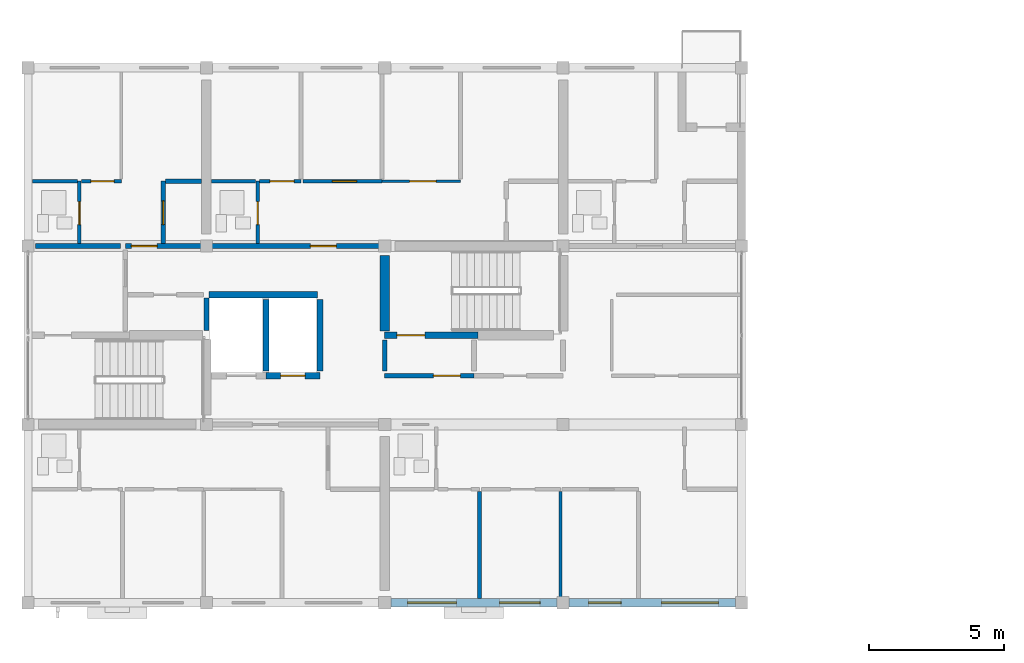
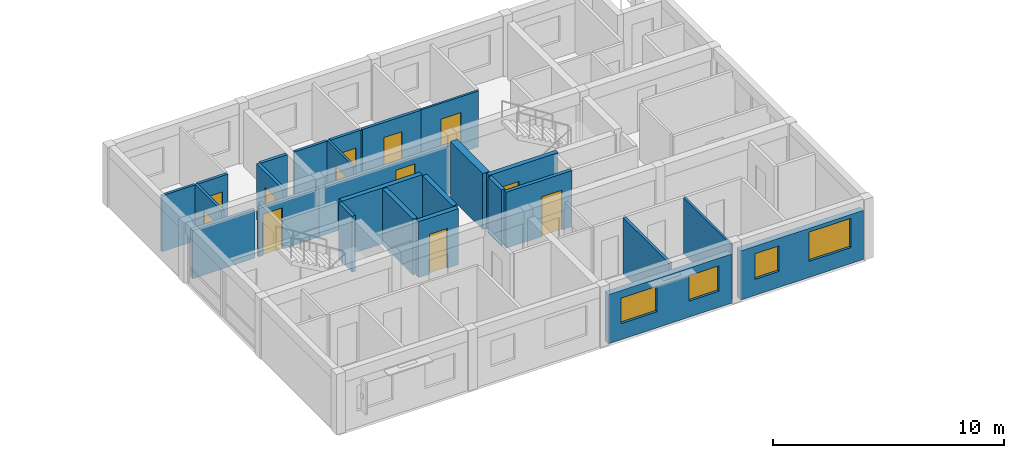
# One storey, part 27 of 52: 26 walls, 12 doors, 4 windows, 16 openings.
"""IFC4 building model written with IfcOpenShell, lengths in metres."""

from ifc_helpers import new_model, si_unit, direction, frame, frame_2d, origin, place, context, subcontext, project, spatial, rectangle, extrude, material, layer, layer_set, type_object, element, fill, save


model = new_model("IFC4")

# Units and contexts
model_context = context("Model", 3, precision=1e-05, world=origin(), true_north=direction((0.0, 1.0)))
body_context = subcontext(model_context, "Body", "Model", "MODEL_VIEW")
ifc_project = project(units=[si_unit("LENGTHUNIT", "METRE"), si_unit("AREAUNIT", "SQUARE_METRE"), si_unit("VOLUMEUNIT", "CUBIC_METRE"), si_unit("PLANEANGLEUNIT", "RADIAN"), si_unit("MASSUNIT", "GRAM", prefix="KILO")], contexts=[model_context])

# Site, building, storey
site_placement = place(None, origin())
site = spatial("IfcSite", under=ifc_project, at=site_placement, CompositionType="ELEMENT")
building_placement = place(site_placement, origin())
building = spatial("IfcBuilding", under=site, at=building_placement, Name="Kernevlak Ridge Housing Community", CompositionType="ELEMENT")
storey_placement = place(building_placement, frame((0.0, 0.0, 11.60009765625)))
storey = spatial("IfcBuildingStorey", under=building, at=storey_placement, Name="L03", CompositionType="ELEMENT", Elevation=11.60009765625)

# Wall, openings, windows
ifc_material_1 = material(Name="Concrete block masonry M10", Category="masonry")
ifc_layer_1 = layer(ifc_material_1, 0.300048828125, Name="Concrete block masonry M10")
ifc_layer_set_1 = layer_set([ifc_layer_1], Name="Concrete block masonry M10")
wall_type_1 = type_object("IfcWallType", Name="EW-01", PredefinedType="STANDARD", material=ifc_layer_set_1)
wall_1_placement = place(storey_placement, frame((29.02490234375, 15.60009765625, 0.0), z_axis=(0.0, 0.0, 1.0), x_axis=(1.0, 0.0, 0.0)))
wall_1 = element("IfcWall", 1, at=wall_1_placement, inside=storey, type_object=wall_type_1, Name="Exterior wall EW-01 L03 755", PredefinedType="STANDARD", context=body_context, shape_type="SweptSolid", body=[
    extrude(rectangle(XDim=6.150146484375, YDim=0.300048828125, at=frame_2d((3.0751953125, 0.0))), origin(), (0.0, 0.0, 1.0), 2.599853515625),
])
opening_1_placement = place(wall_1_placement, frame((0.625, 0.0, 0.85009765625)))
opening_1 = element("IfcOpeningElement", 2, at=opening_1_placement, cuts=wall_1, Name="Opening WT-03", PredefinedType="OPENING", context=body_context, shape_type="SweptSolid", body=[
    extrude(rectangle(XDim=1.800048828125, YDim=1.35009765625, at=frame_2d((0.89990234375, 0.675048828125))), frame((0.0, 0.159912109375, 0.0), z_axis=(0.0, -1.0, 0.0), x_axis=(1.0, 0.0, 0.0)), (0.0, 0.0, 1.0), 0.320068359375),
])
opening_2_placement = place(wall_1_placement, frame((4.02490234375, 0.0, 0.85009765625)))
opening_2 = element("IfcOpeningElement", 3, at=opening_2_placement, cuts=wall_1, Name="Opening WT-02", PredefinedType="OPENING", context=body_context, shape_type="SweptSolid", body=[
    extrude(rectangle(XDim=1.5, YDim=1.35009765625, at=frame_2d((0.75, 0.675048828125))), frame((0.0, 0.159912109375, 0.0), z_axis=(0.0, -1.0, 0.0), x_axis=(1.0, 0.0, 0.0)), (0.0, 0.0, 1.0), 0.320068359375),
])
ifc_material_2 = material(Name="Aluminium EN AW-6060 anodised and laminated glass", Category="aluminium")
window_type_1 = type_object("IfcWindowType", Name="WT-02", PartitioningType="SINGLE_PANEL", PredefinedType="WINDOW", material=ifc_material_2)
window_1_placement = place(opening_2_placement, origin())
window_1 = element("IfcWindow", 4, at=window_1_placement, inside=storey, type_object=window_type_1, Name="Window WT-02 L03 625", OverallHeight=1.35009765625, OverallWidth=1.5, PartitioningType="SINGLE_PANEL", PredefinedType="WINDOW", context=body_context, shape_type="SweptSolid", body=[
    extrude(rectangle(XDim=1.5, YDim=1.35009765625, at=frame_2d((0.75, 0.675048828125))), frame((0.0, 0.030029296875, 0.0), z_axis=(0.0, -1.0, 0.0), x_axis=(1.0, 0.0, 0.0)), (0.0, 0.0, 1.0), 0.06005859375),
])
fill(opening_2, window_1)
window_type_2 = type_object("IfcWindowType", Name="WT-03", PartitioningType="SINGLE_PANEL", PredefinedType="WINDOW", material=ifc_material_2)
window_2_placement = place(opening_1_placement, origin())
window_2 = element("IfcWindow", 5, at=window_2_placement, inside=storey, type_object=window_type_2, Name="Window WT-03 L03 624", OverallHeight=1.35009765625, OverallWidth=1.800048828125, PartitioningType="SINGLE_PANEL", PredefinedType="WINDOW", context=body_context, shape_type="SweptSolid", body=[
    extrude(rectangle(XDim=1.800048828125, YDim=1.35009765625, at=frame_2d((0.89990234375, 0.675048828125))), frame((0.0, 0.030029296875, 0.0), z_axis=(0.0, -1.0, 0.0), x_axis=(1.0, 0.0, 0.0)), (0.0, 0.0, 1.0), 0.06005859375),
])
fill(opening_1, window_2)

wall_2_placement = place(storey_placement, frame((35.625, 15.60009765625, 0.0), z_axis=(0.0, 0.0, 1.0), x_axis=(1.0, 0.0, 0.0)))
wall_2 = element("IfcWall", 6, at=wall_2_placement, inside=storey, type_object=wall_type_1, Name="Exterior wall EW-01 L03 756", PredefinedType="STANDARD", context=body_context, shape_type="SweptSolid", body=[
    extrude(rectangle(XDim=6.14990234375, YDim=0.300048828125, at=frame_2d((3.074951171875, 0.0))), origin(), (0.0, 0.0, 1.0), 2.599853515625),
])
opening_3_placement = place(wall_2_placement, frame((0.72509765625, 0.0, 0.85009765625)))
opening_3 = element("IfcOpeningElement", 7, at=opening_3_placement, cuts=wall_2, Name="Opening WT-01", PredefinedType="OPENING", context=body_context, shape_type="SweptSolid", body=[
    extrude(rectangle(XDim=1.199951171875, YDim=1.35009765625, at=frame_2d((0.60009765625, 0.675048828125))), frame((0.0, 0.159912109375, 0.0), z_axis=(0.0, -1.0, 0.0), x_axis=(1.0, 0.0, 0.0)), (0.0, 0.0, 1.0), 0.320068359375),
])
opening_4_placement = place(wall_2_placement, frame((3.425048828125, 0.0, 0.85009765625)))
opening_4 = element("IfcOpeningElement", 8, at=opening_4_placement, cuts=wall_2, Name="Opening WT-05", PredefinedType="OPENING", context=body_context, shape_type="SweptSolid", body=[
    extrude(rectangle(XDim=2.10009765625, YDim=1.550048828125, at=frame_2d((1.050048828125, 0.77490234375))), frame((0.0, 0.159912109375, 0.0), z_axis=(0.0, -1.0, 0.0), x_axis=(1.0, 0.0, 0.0)), (0.0, 0.0, 1.0), 0.320068359375),
])
window_type_3 = type_object("IfcWindowType", Name="WT-01", PartitioningType="SINGLE_PANEL", PredefinedType="WINDOW", material=ifc_material_2)
window_3_placement = place(opening_3_placement, origin())
window_3 = element("IfcWindow", 9, at=window_3_placement, inside=storey, type_object=window_type_3, Name="Window WT-01 L03 626", OverallHeight=1.35009765625, OverallWidth=1.199951171875, PartitioningType="SINGLE_PANEL", PredefinedType="WINDOW", context=body_context, shape_type="SweptSolid", body=[
    extrude(rectangle(XDim=1.199951171875, YDim=1.35009765625, at=frame_2d((0.60009765625, 0.675048828125))), frame((0.0, 0.030029296875, 0.0), z_axis=(0.0, -1.0, 0.0), x_axis=(1.0, 0.0, 0.0)), (0.0, 0.0, 1.0), 0.06005859375),
])
fill(opening_3, window_3)
window_type_4 = type_object("IfcWindowType", Name="WT-05", PartitioningType="SINGLE_PANEL", PredefinedType="WINDOW", material=ifc_material_2)
window_4_placement = place(opening_4_placement, origin())
window_4 = element("IfcWindow", 10, at=window_4_placement, inside=storey, type_object=window_type_4, Name="Window WT-05 L03 627", OverallHeight=1.550048828125, OverallWidth=2.10009765625, PartitioningType="SINGLE_PANEL", PredefinedType="WINDOW", context=body_context, shape_type="SweptSolid", body=[
    extrude(rectangle(XDim=2.10009765625, YDim=1.550048828125, at=frame_2d((1.050048828125, 0.77490234375))), frame((0.0, 0.030029296875, 0.0), z_axis=(0.0, -1.0, 0.0), x_axis=(1.0, 0.0, 0.0)), (0.0, 0.0, 1.0), 0.06005859375),
])
fill(opening_4, window_4)

# Wall, opening, door
ifc_material_3 = material(Name="Concrete C35/45", Category="concrete")
ifc_layer_2 = layer(ifc_material_3, 0.22509765625, Name="Concrete C35/45")
ifc_layer_set_2 = layer_set([ifc_layer_2], Name="Concrete C35/45")
wall_type_2 = type_object("IfcWallType", Name="PW-01", PredefinedType="STANDARD", material=ifc_layer_set_2)
wall_3_placement = place(storey_placement, frame((24.39990234375, 24.0, 0.0), z_axis=(0.0, 0.0, 1.0), x_axis=(1.0, 0.0, 0.0)))
wall_3 = element("IfcWall", 11, at=wall_3_placement, inside=storey, type_object=wall_type_2, Name="Interior wall PW-01 WAL-INT-L03-3113", PredefinedType="STANDARD", context=body_context, shape_type="SweptSolid", body=[
    extrude(rectangle(XDim=2.0, YDim=0.22509765625, at=frame_2d((1.0, 0.0))), origin(), (0.0, 0.0, 1.0), 2.9599609375),
])
opening_5_placement = place(wall_3_placement, frame((0.550048828125, 0.0, 0.0)))
opening_5 = element("IfcOpeningElement", 12, at=opening_5_placement, cuts=wall_3, Name="Opening LD85", PredefinedType="OPENING", context=body_context, shape_type="SweptSolid", body=[
    extrude(rectangle(XDim=0.89990234375, YDim=2.10009765625, at=frame_2d((0.449951171875, 1.050048828125))), frame((0.0, 0.12255859375, 0.0), z_axis=(0.0, -1.0, 0.0), x_axis=(1.0, 0.0, 0.0)), (0.0, 0.0, 1.0), 0.2451171875),
])
ifc_material_4 = material(Name="Stainless steel EN 1.4401", Category="steel")
door_type_1 = type_object("IfcDoorType", Name="DT-LD2", OperationType="DOUBLE_DOOR_SLIDING", PredefinedType="DOOR", material=ifc_material_4)
door_1_placement = place(opening_5_placement, origin())
door_1 = element("IfcDoor", 13, at=door_1_placement, inside=storey, type_object=door_type_1, Name="Lift LF-D2 landing door LD85", OperationType="DOUBLE_DOOR_SLIDING", OverallHeight=2.10009765625, OverallWidth=0.89990234375, PredefinedType="DOOR", context=body_context, shape_type="SweptSolid", body=[
    extrude(rectangle(XDim=0.89990234375, YDim=2.10009765625, at=frame_2d((0.449951171875, 1.050048828125))), frame((0.0, 0.02490234375, 0.0), z_axis=(0.0, -1.0, 0.0), x_axis=(1.0, 0.0, 0.0)), (0.0, 0.0, 1.0), 0.050048828125),
])
fill(opening_5, door_1)

# Walls
wall_4_placement = place(storey_placement, frame((22.297607421875, 27.0, 0.0), z_axis=(0.0, 0.0, 1.0), x_axis=(1.0, 0.0, 0.0)))
element("IfcWall", 14, at=wall_4_placement, inside=storey, type_object=wall_type_2, Name="Interior wall PW-01 WAL-INT-L03-3114", PredefinedType="STANDARD", context=body_context, shape_type="SweptSolid", body=[
    extrude(rectangle(XDim=4.0224609375, YDim=0.22509765625, at=frame_2d((2.01123046875, 0.0))), origin(), (0.0, 0.0, 1.0), 2.9599609375),
])
for number, where, z_axis, x_axis, name in (
    (15, (24.39990234375, 24.179931640625, 0.0), (0.0, 0.0, 1.0), (0.0, 1.0, 0.0), "Interior wall PW-01 WAL-INT-L03-3116"),
    (16, (26.39990234375, 24.179931640625, 0.0), (0.0, 0.0, 1.0), (0.0, 1.0, 0.0), "Interior wall PW-01 WAL-INT-L03-3117"),
):
    element("IfcWall", number, at=place(storey_placement, frame(where, z_axis=z_axis, x_axis=x_axis)), inside=storey, type_object=wall_type_2, Name=name, PredefinedType="STANDARD", context=body_context, shape_type="SweptSolid", body=[
        extrude(rectangle(XDim=2.64013671875, YDim=0.22509765625, at=frame_2d((1.320068359375, 0.0))), origin(), (0.0, 0.0, 1.0), 2.9599609375),
    ])

# Wall, opening, door
wall_5_placement = place(storey_placement, frame((28.800048828125, 25.5, 0.0), z_axis=(0.0, 0.0, 1.0), x_axis=(1.0, 0.0, 0.0)))
wall_5 = element("IfcWall", 17, at=wall_5_placement, inside=storey, type_object=wall_type_2, Name="Interior wall PW-01 WAL-INT-L03-3118", PredefinedType="STANDARD", context=body_context, shape_type="SweptSolid", body=[
    extrude(rectangle(XDim=3.449951171875, YDim=0.22509765625, at=frame_2d((1.72509765625, 0.0))), origin(), (0.0, 0.0, 1.0), 2.9599609375),
])
opening_6_placement = place(wall_5_placement, frame((0.449951171875, 0.0, 0.0)))
opening_6 = element("IfcOpeningElement", 18, at=opening_6_placement, cuts=wall_5, Name="Opening E580", PredefinedType="OPENING", context=body_context, shape_type="SweptSolid", body=[
    extrude(rectangle(XDim=1.0400390625, YDim=2.1201171875, at=frame_2d((0.52001953125, 1.06005859375))), frame((0.0, 0.12255859375, 0.0), z_axis=(0.0, -1.0, 0.0), x_axis=(1.0, 0.0, 0.0)), (0.0, 0.0, 1.0), 0.2451171875),
])
ifc_material_5 = material(Name="Fire-rated sheet steel leaf", Category="steel")
door_type_2 = type_object("IfcDoorType", Name="DT-16", OperationType="NOTDEFINED", PredefinedType="DOOR", material=ifc_material_5)
door_2_placement = place(opening_6_placement, origin())
door_2 = element("IfcDoor", 19, at=door_2_placement, inside=storey, type_object=door_type_2, Name="Block D Stair 2 fire door E580", OperationType="SINGLE_SWING_LEFT", OverallHeight=2.1201171875, OverallWidth=1.0400390625, PredefinedType="DOOR", context=body_context, shape_type="SweptSolid", body=[
    extrude(rectangle(XDim=1.0400390625, YDim=2.1201171875, at=frame_2d((0.52001953125, 1.06005859375))), frame((0.0, 0.02490234375, 0.0), z_axis=(0.0, -1.0, 0.0), x_axis=(1.0, 0.0, 0.0)), (0.0, 0.0, 1.0), 0.050048828125),
])
fill(opening_6, door_2)

# Wall
ifc_layer_3 = layer(ifc_material_1, 0.175048828125, Name="Concrete block masonry M10")
ifc_layer_set_3 = layer_set([ifc_layer_3], Name="Concrete block masonry M10")
wall_type_3 = type_object("IfcWallType", Name="PW-02", PredefinedType="PARTITIONING", material=ifc_layer_set_3)
wall_6_placement = place(storey_placement, frame((22.199951171875, 25.679931640625, 0.0), z_axis=(0.0, 0.0, 1.0), x_axis=(0.0, 1.0, 0.0)))
element("IfcWall", 20, at=wall_6_placement, inside=storey, type_object=wall_type_3, Name="Interior wall PW-02 WAL-INT-L03-3111", PredefinedType="PARTITIONING", context=body_context, shape_type="SweptSolid", body=[
    extrude(rectangle(XDim=1.190185546875, YDim=0.175048828125, at=frame_2d((0.59521484375, 0.0))), origin(), (0.0, 0.0, 1.0), 2.9599609375),
])

# Wall, opening, door
wall_7_placement = place(storey_placement, frame((28.800048828125, 24.0, 0.0), z_axis=(0.0, 0.0, 1.0), x_axis=(1.0, 0.0, 0.0)))
wall_7 = element("IfcWall", 21, at=wall_7_placement, inside=storey, type_object=wall_type_3, Name="Interior wall PW-02 WAL-INT-L03-3119", PredefinedType="PARTITIONING", context=body_context, shape_type="SweptSolid", body=[
    extrude(rectangle(XDim=3.300048828125, YDim=0.175048828125, at=frame_2d((1.64990234375, 0.0))), origin(), (0.0, 0.0, 1.0), 2.9599609375),
])
opening_7_placement = place(wall_7_placement, frame((1.800048828125, 0.0, 0.0)))
opening_7 = element("IfcOpeningElement", 22, at=opening_7_placement, cuts=wall_7, Name="Opening E581", PredefinedType="OPENING", context=body_context, shape_type="SweptSolid", body=[
    extrude(rectangle(XDim=1.0, YDim=2.10009765625, at=frame_2d((0.5, 1.050048828125))), frame((0.0, 0.097412109375, 0.0), z_axis=(0.0, -1.0, 0.0), x_axis=(1.0, 0.0, 0.0)), (0.0, 0.0, 1.0), 0.195068359375),
])
door_type_3 = type_object("IfcDoorType", Name="DT-05", OperationType="NOTDEFINED", PredefinedType="DOOR", material=ifc_material_5)
door_3_placement = place(opening_7_placement, origin())
door_3 = element("IfcDoor", 23, at=door_3_placement, inside=storey, type_object=door_type_3, Name="Block D Firefighting lobby 2 door E581", OperationType="SINGLE_SWING_RIGHT", OverallHeight=2.10009765625, OverallWidth=1.0, PredefinedType="DOOR", context=body_context, shape_type="SweptSolid", body=[
    extrude(rectangle(XDim=1.0, YDim=2.10009765625, at=frame_2d((0.5, 1.050048828125))), frame((0.0, 0.02490234375, 0.0), z_axis=(0.0, -1.0, 0.0), x_axis=(1.0, 0.0, 0.0)), (0.0, 0.0, 1.0), 0.050048828125),
])
fill(opening_7, door_3)

# Walls
wall_8_placement = place(storey_placement, frame((28.800048828125, 24.179931640625, 0.0), z_axis=(0.0, 0.0, 1.0), x_axis=(0.0, 1.0, 0.0)))
element("IfcWall", 24, at=wall_8_placement, inside=storey, type_object=wall_type_3, Name="Interior wall PW-02 WAL-INT-L03-3121", PredefinedType="PARTITIONING", context=body_context, shape_type="SweptSolid", body=[
    extrude(rectangle(XDim=1.14013671875, YDim=0.175048828125, at=frame_2d((0.570068359375, 0.0))), origin(), (0.0, 0.0, 1.0), 2.9599609375),
])
wall_9_placement = place(storey_placement, frame((15.8798828125, 28.800048828125, 0.0), z_axis=(0.0, 0.0, 1.0), x_axis=(1.0, 0.0, 0.0)))
element("IfcWall", 25, at=wall_9_placement, inside=storey, type_object=wall_type_3, Name="Interior wall PW-02 WAL-INT-L03-3149", PredefinedType="PARTITIONING", context=body_context, shape_type="SweptSolid", body=[
    extrude(rectangle(XDim=3.14013671875, YDim=0.175048828125, at=frame_2d((1.570068359375, 0.0))), origin(), (0.0, 0.0, 1.0), 2.5498046875),
])

# Wall, opening, door
wall_10_placement = place(storey_placement, frame((19.199951171875, 28.800048828125, 0.0), z_axis=(0.0, 0.0, 1.0), x_axis=(1.0, 0.0, 0.0)))
wall_10 = element("IfcWall", 26, at=wall_10_placement, inside=storey, type_object=wall_type_3, Name="Interior wall PW-02 WAL-INT-L03-3150", PredefinedType="PARTITIONING", context=body_context, shape_type="SweptSolid", body=[
    extrude(rectangle(XDim=3.0, YDim=0.175048828125, at=frame_2d((1.5, 0.0))), origin(), (0.0, 0.0, 1.0), 2.5498046875),
])
opening_8_placement = place(wall_10_placement, frame((0.219970703125, 0.0, 0.0)))
opening_8 = element("IfcOpeningElement", 27, at=opening_8_placement, cuts=wall_10, Name="Opening E596", PredefinedType="OPENING", context=body_context, shape_type="SweptSolid", body=[
    extrude(rectangle(XDim=0.9599609375, YDim=2.179931640625, at=frame_2d((0.47998046875, 1.08984375))), frame((0.0, 0.097412109375, 0.0), z_axis=(0.0, -1.0, 0.0), x_axis=(1.0, 0.0, 0.0)), (0.0, 0.0, 1.0), 0.195068359375),
])
ifc_material_6 = material(Name="Hardwood timber solid-core fire leaf", Category="wood")
door_type_4 = type_object("IfcDoorType", Name="DT-29", OperationType="NOTDEFINED", PredefinedType="DOOR", material=ifc_material_6)
door_4_placement = place(opening_8_placement, origin())
door_4 = element("IfcDoor", 28, at=door_4_placement, inside=storey, type_object=door_type_4, Name="Flat D0321 entrance fire door E596", OperationType="SINGLE_SWING_LEFT", OverallHeight=2.179931640625, OverallWidth=0.9599609375, PredefinedType="DOOR", context=body_context, shape_type="SweptSolid", body=[
    extrude(rectangle(XDim=0.9599609375, YDim=2.179931640625, at=frame_2d((0.47998046875, 1.08984375))), frame((0.0, 0.02490234375, 0.0), z_axis=(0.0, -1.0, 0.0), x_axis=(1.0, 0.0, 0.0)), (0.0, 0.0, 1.0), 0.050048828125),
])
fill(opening_8, door_4)

wall_11_placement = place(storey_placement, frame((22.199951171875, 28.800048828125, 0.0), z_axis=(0.0, 0.0, 1.0), x_axis=(1.0, 0.0, 0.0)))
wall_11 = element("IfcWall", 29, at=wall_11_placement, inside=storey, type_object=wall_type_3, Name="Interior wall PW-02 WAL-INT-L03-3157", PredefinedType="PARTITIONING", context=body_context, shape_type="SweptSolid", body=[
    extrude(rectangle(XDim=6.60009765625, YDim=0.175048828125, at=frame_2d((3.300048828125, 0.0))), origin(), (0.0, 0.0, 1.0), 2.5498046875),
])
opening_9_placement = place(wall_11_placement, frame((3.85009765625, 0.0, 0.0)))
opening_9 = element("IfcOpeningElement", 30, at=opening_9_placement, cuts=wall_11, Name="Opening E600", PredefinedType="OPENING", context=body_context, shape_type="SweptSolid", body=[
    extrude(rectangle(XDim=0.9599609375, YDim=2.179931640625, at=frame_2d((0.47998046875, 1.08984375))), frame((0.0, 0.097412109375, 0.0), z_axis=(0.0, -1.0, 0.0), x_axis=(1.0, 0.0, 0.0)), (0.0, 0.0, 1.0), 0.195068359375),
])
door_5_placement = place(opening_9_placement, origin())
door_5 = element("IfcDoor", 31, at=door_5_placement, inside=storey, type_object=door_type_4, Name="Flat D0322 entrance fire door E600", OperationType="SINGLE_SWING_LEFT", OverallHeight=2.179931640625, OverallWidth=0.9599609375, PredefinedType="DOOR", context=body_context, shape_type="SweptSolid", body=[
    extrude(rectangle(XDim=0.9599609375, YDim=2.179931640625, at=frame_2d((0.47998046875, 1.08984375))), frame((0.0, 0.02490234375, 0.0), z_axis=(0.0, -1.0, 0.0), x_axis=(1.0, 0.0, 0.0)), (0.0, 0.0, 1.0), 0.050048828125),
])
fill(opening_9, door_5)

# Wall
ifc_layer_4 = layer(ifc_material_1, 0.14501953125, Name="Concrete block masonry M10")
ifc_layer_set_4 = layer_set([ifc_layer_4], Name="Concrete block masonry M10")
wall_type_4 = type_object("IfcWallType", Name="PW-03", PredefinedType="PARTITIONING", material=ifc_layer_set_4)
wall_12_placement = place(storey_placement, frame((32.300048828125, 19.717529296875, 0.0), z_axis=(0.0, 0.0, 1.0), x_axis=(0.0, -1.0, 0.0)))
element("IfcWall", 32, at=wall_12_placement, inside=storey, type_object=wall_type_4, Name="Interior wall PW-03 WAL-INT-L03-3144", PredefinedType="PARTITIONING", context=body_context, shape_type="SweptSolid", body=[
    extrude(rectangle(XDim=3.95751953125, YDim=0.14501953125, at=frame_2d((1.978759765625, 0.0))), origin(), (0.0, 0.0, 1.0), 2.9599609375),
])

# Wall, opening, door
wall_13_placement = place(storey_placement, frame((17.572509765625, 31.199951171875, 0.0), z_axis=(0.0, 0.0, 1.0), x_axis=(1.0, 0.0, 0.0)))
wall_13 = element("IfcWall", 33, at=wall_13_placement, inside=storey, type_object=wall_type_4, Name="Interior wall PW-03 WAL-INT-L03-3155", PredefinedType="PARTITIONING", context=body_context, shape_type="SweptSolid", body=[
    extrude(rectangle(XDim=1.4775390625, YDim=0.14501953125, at=frame_2d((0.73876953125, 0.0))), origin(), (0.0, 0.0, 1.0), 2.9599609375),
])
opening_10_placement = place(wall_13_placement, frame((0.35009765625, 0.0, 0.0)))
opening_10 = element("IfcOpeningElement", 34, at=opening_10_placement, cuts=wall_13, Name="Opening E599", PredefinedType="OPENING", context=body_context, shape_type="SweptSolid", body=[
    extrude(rectangle(XDim=0.860107421875, YDim=2.1201171875, at=frame_2d((0.43017578125, 1.06005859375))), frame((0.0, 0.08251953125, 0.0), z_axis=(0.0, -1.0, 0.0), x_axis=(1.0, 0.0, 0.0)), (0.0, 0.0, 1.0), 0.1650390625),
])
ifc_material_7 = material(Name="Hardwood timber leaf", Category="wood")
door_type_5 = type_object("IfcDoorType", Name="DT-28", OperationType="NOTDEFINED", PredefinedType="DOOR", material=ifc_material_7)
door_6_placement = place(opening_10_placement, origin())
door_6 = element("IfcDoor", 35, at=door_6_placement, inside=storey, type_object=door_type_5, Name="Flat D0321 bedroom door E599", OperationType="SINGLE_SWING_RIGHT", OverallHeight=2.1201171875, OverallWidth=0.860107421875, PredefinedType="DOOR", context=body_context, shape_type="SweptSolid", body=[
    extrude(rectangle(XDim=0.860107421875, YDim=2.1201171875, at=frame_2d((0.43017578125, 1.06005859375))), frame((0.0, 0.02490234375, 0.0), z_axis=(0.0, -1.0, 0.0), x_axis=(1.0, 0.0, 0.0)), (0.0, 0.0, 1.0), 0.050048828125),
])
fill(opening_10, door_6)

wall_14_placement = place(storey_placement, frame((24.172607421875, 31.199951171875, 0.0), z_axis=(0.0, 0.0, 1.0), x_axis=(1.0, 0.0, 0.0)))
wall_14 = element("IfcWall", 36, at=wall_14_placement, inside=storey, type_object=wall_type_4, Name="Interior wall PW-03 WAL-INT-L03-3162", PredefinedType="PARTITIONING", context=body_context, shape_type="SweptSolid", body=[
    extrude(rectangle(XDim=1.52734375, YDim=0.14501953125, at=frame_2d((0.763671875, 0.0))), origin(), (0.0, 0.0, 1.0), 2.9599609375),
])
opening_11_placement = place(wall_14_placement, frame((0.375, 0.0, 0.0)))
opening_11 = element("IfcOpeningElement", 37, at=opening_11_placement, cuts=wall_14, Name="Opening E603", PredefinedType="OPENING", context=body_context, shape_type="SweptSolid", body=[
    extrude(rectangle(XDim=0.89990234375, YDim=2.10009765625, at=frame_2d((0.449951171875, 1.050048828125))), frame((0.0, 0.08251953125, 0.0), z_axis=(0.0, -1.0, 0.0), x_axis=(1.0, 0.0, 0.0)), (0.0, 0.0, 1.0), 0.1650390625),
])
door_type_6 = type_object("IfcDoorType", Name="DT-21", OperationType="NOTDEFINED", PredefinedType="DOOR", material=ifc_material_7)
door_7_placement = place(opening_11_placement, origin())
door_7 = element("IfcDoor", 38, at=door_7_placement, inside=storey, type_object=door_type_6, Name="Flat D0322 bedroom door E603", OperationType="SINGLE_SWING_RIGHT", OverallHeight=2.10009765625, OverallWidth=0.89990234375, PredefinedType="DOOR", context=body_context, shape_type="SweptSolid", body=[
    extrude(rectangle(XDim=0.89990234375, YDim=2.10009765625, at=frame_2d((0.449951171875, 1.050048828125))), frame((0.0, 0.02490234375, 0.0), z_axis=(0.0, -1.0, 0.0), x_axis=(1.0, 0.0, 0.0)), (0.0, 0.0, 1.0), 0.050048828125),
])
fill(opening_11, door_7)

wall_15_placement = place(storey_placement, frame((25.782470703125, 31.199951171875, 0.0), z_axis=(0.0, 0.0, 1.0), x_axis=(1.0, 0.0, 0.0)))
wall_15 = element("IfcWall", 39, at=wall_15_placement, inside=storey, type_object=wall_type_4, Name="Interior wall PW-03 WAL-INT-L03-3164", PredefinedType="PARTITIONING", context=body_context, shape_type="SweptSolid", body=[
    extrude(rectangle(XDim=2.91748046875, YDim=0.14501953125, at=frame_2d((1.458740234375, 0.0))), origin(), (0.0, 0.0, 1.0), 2.9599609375),
])
opening_12_placement = place(wall_15_placement, frame((1.074951171875, 0.0, 0.0)))
opening_12 = element("IfcOpeningElement", 40, at=opening_12_placement, cuts=wall_15, Name="Opening E604", PredefinedType="OPENING", context=body_context, shape_type="SweptSolid", body=[
    extrude(rectangle(XDim=0.89990234375, YDim=2.159912109375, at=frame_2d((0.449951171875, 1.080078125))), frame((0.0, 0.08251953125, 0.0), z_axis=(0.0, -1.0, 0.0), x_axis=(1.0, 0.0, 0.0)), (0.0, 0.0, 1.0), 0.1650390625),
])
door_type_7 = type_object("IfcDoorType", Name="DT-22", OperationType="NOTDEFINED", PredefinedType="DOOR", material=ifc_material_7)
door_8_placement = place(opening_12_placement, origin())
door_8 = element("IfcDoor", 41, at=door_8_placement, inside=storey, type_object=door_type_7, Name="Flat D0322 bedroom door E604", OperationType="SINGLE_SWING_LEFT", OverallHeight=2.159912109375, OverallWidth=0.89990234375, PredefinedType="DOOR", context=body_context, shape_type="SweptSolid", body=[
    extrude(rectangle(XDim=0.89990234375, YDim=2.159912109375, at=frame_2d((0.449951171875, 1.080078125))), frame((0.0, 0.02490234375, 0.0), z_axis=(0.0, -1.0, 0.0), x_axis=(1.0, 0.0, 0.0)), (0.0, 0.0, 1.0), 0.050048828125),
])
fill(opening_12, door_8)

ifc_material_8 = material(Name="Gypsum plasterboard EN 520", Category="gypsum")
ifc_layer_5 = layer(ifc_material_8, 0.125, Name="Gypsum plasterboard EN 520")
ifc_layer_set_5 = layer_set([ifc_layer_5], Name="Gypsum plasterboard EN 520")
wall_type_5 = type_object("IfcWallType", Name="PW-04", PredefinedType="PARTITIONING", material=ifc_layer_set_5)
wall_16_placement = place(storey_placement, frame((17.5, 28.8974609375, 0.0), z_axis=(0.0, 0.0, 1.0), x_axis=(0.0, 1.0, 0.0)))
wall_16 = element("IfcWall", 42, at=wall_16_placement, inside=storey, type_object=wall_type_5, Name="Interior wall PW-04 WAL-INT-L03-3151", PredefinedType="PARTITIONING", context=body_context, shape_type="SweptSolid", body=[
    extrude(rectangle(XDim=2.302490234375, YDim=0.125, at=frame_2d((1.1513671875, 0.0))), origin(), (0.0, 0.0, 1.0), 2.9599609375),
])
opening_13_placement = place(wall_16_placement, frame((0.699951171875, 0.0, 0.0)))
opening_13 = element("IfcOpeningElement", 43, at=opening_13_placement, cuts=wall_16, Name="Opening E597", PredefinedType="OPENING", context=body_context, shape_type="SweptSolid", body=[
    extrude(rectangle(XDim=0.85009765625, YDim=2.0400390625, at=frame_2d((0.425048828125, 1.02001953125))), frame((0.0, 0.072509765625, 0.0), z_axis=(0.0, -1.0, 0.0), x_axis=(1.0, 0.0, 0.0)), (0.0, 0.0, 1.0), 0.14501953125),
])
ifc_material_9 = material(Name="Hardwood timber moisture-resistant leaf", Category="wood")
door_type_8 = type_object("IfcDoorType", Name="DT-04", OperationType="NOTDEFINED", PredefinedType="DOOR", material=ifc_material_9)
door_9_placement = place(opening_13_placement, origin())
door_9 = element("IfcDoor", 44, at=door_9_placement, inside=storey, type_object=door_type_8, Name="Flat D0321 bathroom door E597", OperationType="SINGLE_SWING_RIGHT", OverallHeight=2.0400390625, OverallWidth=0.85009765625, PredefinedType="DOOR", context=body_context, shape_type="SweptSolid", body=[
    extrude(rectangle(XDim=0.85009765625, YDim=2.0400390625, at=frame_2d((0.425048828125, 1.02001953125))), frame((0.0, 0.02490234375, 0.0), z_axis=(0.0, -1.0, 0.0), x_axis=(1.0, 0.0, 0.0)), (0.0, 0.0, 1.0), 0.050048828125),
])
fill(opening_13, door_9)

# Wall
wall_17_placement = place(storey_placement, frame((15.760009765625, 31.199951171875, 0.0), z_axis=(0.0, 0.0, 1.0), x_axis=(1.0, 0.0, 0.0)))
element("IfcWall", 45, at=wall_17_placement, inside=storey, type_object=wall_type_5, Name="Interior wall PW-04 WAL-INT-L03-3152", PredefinedType="PARTITIONING", context=body_context, shape_type="SweptSolid", body=[
    extrude(rectangle(XDim=1.659912109375, YDim=0.125, at=frame_2d((0.830078125, 0.0))), origin(), (0.0, 0.0, 1.0), 2.9599609375),
])

# Wall, opening, door
wall_18_placement = place(storey_placement, frame((24.10009765625, 28.8974609375, 0.0), z_axis=(0.0, 0.0, 1.0), x_axis=(0.0, 1.0, 0.0)))
wall_18 = element("IfcWall", 46, at=wall_18_placement, inside=storey, type_object=wall_type_5, Name="Interior wall PW-04 WAL-INT-L03-3158", PredefinedType="PARTITIONING", context=body_context, shape_type="SweptSolid", body=[
    extrude(rectangle(XDim=2.302490234375, YDim=0.125, at=frame_2d((1.1513671875, 0.0))), origin(), (0.0, 0.0, 1.0), 2.9599609375),
])
opening_14_placement = place(wall_18_placement, frame((0.699951171875, 0.0, 0.0)))
opening_14 = element("IfcOpeningElement", 47, at=opening_14_placement, cuts=wall_18, Name="Opening E601", PredefinedType="OPENING", context=body_context, shape_type="SweptSolid", body=[
    extrude(rectangle(XDim=0.85009765625, YDim=2.0400390625, at=frame_2d((0.425048828125, 1.02001953125))), frame((0.0, 0.072509765625, 0.0), z_axis=(0.0, -1.0, 0.0), x_axis=(1.0, 0.0, 0.0)), (0.0, 0.0, 1.0), 0.14501953125),
])
door_10_placement = place(opening_14_placement, origin())
door_10 = element("IfcDoor", 48, at=door_10_placement, inside=storey, type_object=door_type_8, Name="Flat D0322 bathroom door E601", OperationType="SINGLE_SWING_RIGHT", OverallHeight=2.0400390625, OverallWidth=0.85009765625, PredefinedType="DOOR", context=body_context, shape_type="SweptSolid", body=[
    extrude(rectangle(XDim=0.85009765625, YDim=2.0400390625, at=frame_2d((0.425048828125, 1.02001953125))), frame((0.0, 0.02490234375, 0.0), z_axis=(0.0, -1.0, 0.0), x_axis=(1.0, 0.0, 0.0)), (0.0, 0.0, 1.0), 0.050048828125),
])
fill(opening_14, door_10)

# Wall
wall_19_placement = place(storey_placement, frame((22.385009765625, 31.199951171875, 0.0), z_axis=(0.0, 0.0, 1.0), x_axis=(1.0, 0.0, 0.0)))
element("IfcWall", 49, at=wall_19_placement, inside=storey, type_object=wall_type_5, Name="Interior wall PW-04 WAL-INT-L03-3159", PredefinedType="PARTITIONING", context=body_context, shape_type="SweptSolid", body=[
    extrude(rectangle(XDim=1.635009765625, YDim=0.125, at=frame_2d((0.8173828125, 0.0))), origin(), (0.0, 0.0, 1.0), 2.9599609375),
])

# Wall, opening, door
ifc_layer_6 = layer(ifc_material_8, 0.155029296875, Name="Gypsum plasterboard EN 520")
ifc_layer_set_6 = layer_set([ifc_layer_6], Name="Gypsum plasterboard EN 520")
wall_type_6 = type_object("IfcWallType", Name="PW-05", PredefinedType="PARTITIONING", material=ifc_layer_set_6)
wall_20_placement = place(storey_placement, frame((20.60009765625, 28.8974609375, 0.0), z_axis=(0.0, 0.0, 1.0), x_axis=(0.0, 1.0, 0.0)))
wall_20 = element("IfcWall", 50, at=wall_20_placement, inside=storey, type_object=wall_type_6, Name="Interior wall PW-05 WAL-INT-L03-3153", PredefinedType="PARTITIONING", context=body_context, shape_type="SweptSolid", body=[
    extrude(rectangle(XDim=2.302490234375, YDim=0.155029296875, at=frame_2d((1.1513671875, 0.0))), origin(), (0.0, 0.0, 1.0), 2.9599609375),
])
opening_15_placement = place(wall_20_placement, frame((0.699951171875, 0.0, 0.0)))
opening_15 = element("IfcOpeningElement", 51, at=opening_15_placement, cuts=wall_20, Name="Opening E598", PredefinedType="OPENING", context=body_context, shape_type="SweptSolid", body=[
    extrude(rectangle(XDim=0.8798828125, YDim=2.159912109375, at=frame_2d((0.43994140625, 1.080078125))), frame((0.0, 0.08740234375, 0.0), z_axis=(0.0, -1.0, 0.0), x_axis=(1.0, 0.0, 0.0)), (0.0, 0.0, 1.0), 0.175048828125),
])
door_type_9 = type_object("IfcDoorType", Name="DT-26", OperationType="NOTDEFINED", PredefinedType="DOOR", material=ifc_material_7)
door_11_placement = place(opening_15_placement, origin())
door_11 = element("IfcDoor", 52, at=door_11_placement, inside=storey, type_object=door_type_9, Name="Flat D0321 kitchen door E598", OperationType="SINGLE_SWING_LEFT", OverallHeight=2.159912109375, OverallWidth=0.8798828125, PredefinedType="DOOR", context=body_context, shape_type="SweptSolid", body=[
    extrude(rectangle(XDim=0.8798828125, YDim=2.159912109375, at=frame_2d((0.43994140625, 1.080078125))), frame((0.0, 0.02490234375, 0.0), z_axis=(0.0, -1.0, 0.0), x_axis=(1.0, 0.0, 0.0)), (0.0, 0.0, 1.0), 0.050048828125),
])
fill(opening_15, door_11)

# Walls
wall_21_placement = place(storey_placement, frame((20.6875, 31.199951171875, 0.0), z_axis=(0.0, 0.0, 1.0), x_axis=(1.0, 0.0, 0.0)))
element("IfcWall", 53, at=wall_21_placement, inside=storey, type_object=wall_type_6, Name="Interior wall PW-05 WAL-INT-L03-3154", PredefinedType="PARTITIONING", context=body_context, shape_type="SweptSolid", body=[
    extrude(rectangle(XDim=1.327392578125, YDim=0.155029296875, at=frame_2d((0.66357421875, 0.0))), origin(), (0.0, 0.0, 1.0), 2.9599609375),
])
ifc_layer_7 = layer(ifc_material_8, 0.10498046875, Name="Gypsum plasterboard EN 520")
ifc_layer_set_7 = layer_set([ifc_layer_7], Name="Gypsum plasterboard EN 520")
wall_type_7 = type_object("IfcWallType", Name="PW-06", PredefinedType="PARTITIONING", material=ifc_layer_set_7)
wall_22_placement = place(storey_placement, frame((35.300048828125, 19.717529296875, 0.0), z_axis=(0.0, 0.0, 1.0), x_axis=(0.0, -1.0, 0.0)))
element("IfcWall", 54, at=wall_22_placement, inside=storey, type_object=wall_type_7, Name="Interior wall PW-06 WAL-INT-L03-3146", PredefinedType="PARTITIONING", context=body_context, shape_type="SweptSolid", body=[
    extrude(rectangle(XDim=4.03759765625, YDim=0.10498046875, at=frame_2d((2.018798828125, 0.0))), origin(), (0.0, 0.0, 1.0), 2.9599609375),
])

# Wall, opening, door
wall_23_placement = place(storey_placement, frame((28.699951171875, 31.199951171875, 0.0), z_axis=(0.0, 0.0, 1.0), x_axis=(1.0, 0.0, 0.0)))
wall_23 = element("IfcWall", 55, at=wall_23_placement, inside=storey, type_object=wall_type_7, Name="Interior wall PW-06 WAL-INT-L03-3166", PredefinedType="PARTITIONING", context=body_context, shape_type="SweptSolid", body=[
    extrude(rectangle(XDim=2.900146484375, YDim=0.10498046875, at=frame_2d((1.4501953125, 0.0))), origin(), (0.0, 0.0, 1.0), 2.9599609375),
])
opening_16_placement = place(wall_23_placement, frame((1.02490234375, 0.0, 0.0)))
opening_16 = element("IfcOpeningElement", 56, at=opening_16_placement, cuts=wall_23, Name="Opening E605", PredefinedType="OPENING", context=body_context, shape_type="SweptSolid", body=[
    extrude(rectangle(XDim=0.97998046875, YDim=2.1201171875, at=frame_2d((0.489990234375, 1.06005859375))), frame((0.0, 0.0625, 0.0), z_axis=(0.0, -1.0, 0.0), x_axis=(1.0, 0.0, 0.0)), (0.0, 0.0, 1.0), 0.125),
])
door_type_10 = type_object("IfcDoorType", Name="DT-24", OperationType="NOTDEFINED", PredefinedType="DOOR", material=ifc_material_7)
door_12_placement = place(opening_16_placement, origin())
door_12 = element("IfcDoor", 57, at=door_12_placement, inside=storey, type_object=door_type_10, Name="Flat D0322 bedroom door E605", OperationType="SINGLE_SWING_RIGHT", OverallHeight=2.1201171875, OverallWidth=0.97998046875, PredefinedType="DOOR", context=body_context, shape_type="SweptSolid", body=[
    extrude(rectangle(XDim=0.97998046875, YDim=2.1201171875, at=frame_2d((0.489990234375, 1.06005859375))), frame((0.0, 0.02490234375, 0.0), z_axis=(0.0, -1.0, 0.0), x_axis=(1.0, 0.0, 0.0)), (0.0, 0.0, 1.0), 0.050048828125),
])
fill(opening_16, door_12)

# Wall
ifc_material_10 = material(Name="Concrete C40/50", Category="concrete")
ifc_layer_8 = layer(ifc_material_10, 0.35009765625, Name="Concrete C40/50")
ifc_layer_set_8 = layer_set([ifc_layer_8], Name="Concrete C40/50")
wall_type_8 = type_object("IfcWallType", Name="SW-01", PredefinedType="SHEAR", material=ifc_layer_set_8)
wall_24_placement = place(storey_placement, frame((28.800048828125, 25.64990234375, 0.0), z_axis=(0.0, 0.0, 1.0), x_axis=(0.0, 1.0, 0.0)))
element("IfcWall", 58, at=wall_24_placement, inside=storey, type_object=wall_type_8, Name="Shear wall SW-01 Block D L03 542", PredefinedType="SHEAR", context=body_context, shape_type="SweptSolid", body=[
    extrude(rectangle(XDim=2.800048828125, YDim=0.35009765625, at=frame_2d((1.39990234375, 0.0))), origin(), (0.0, 0.0, 1.0), 2.9599609375),
])

save(model, "model.ifc")
